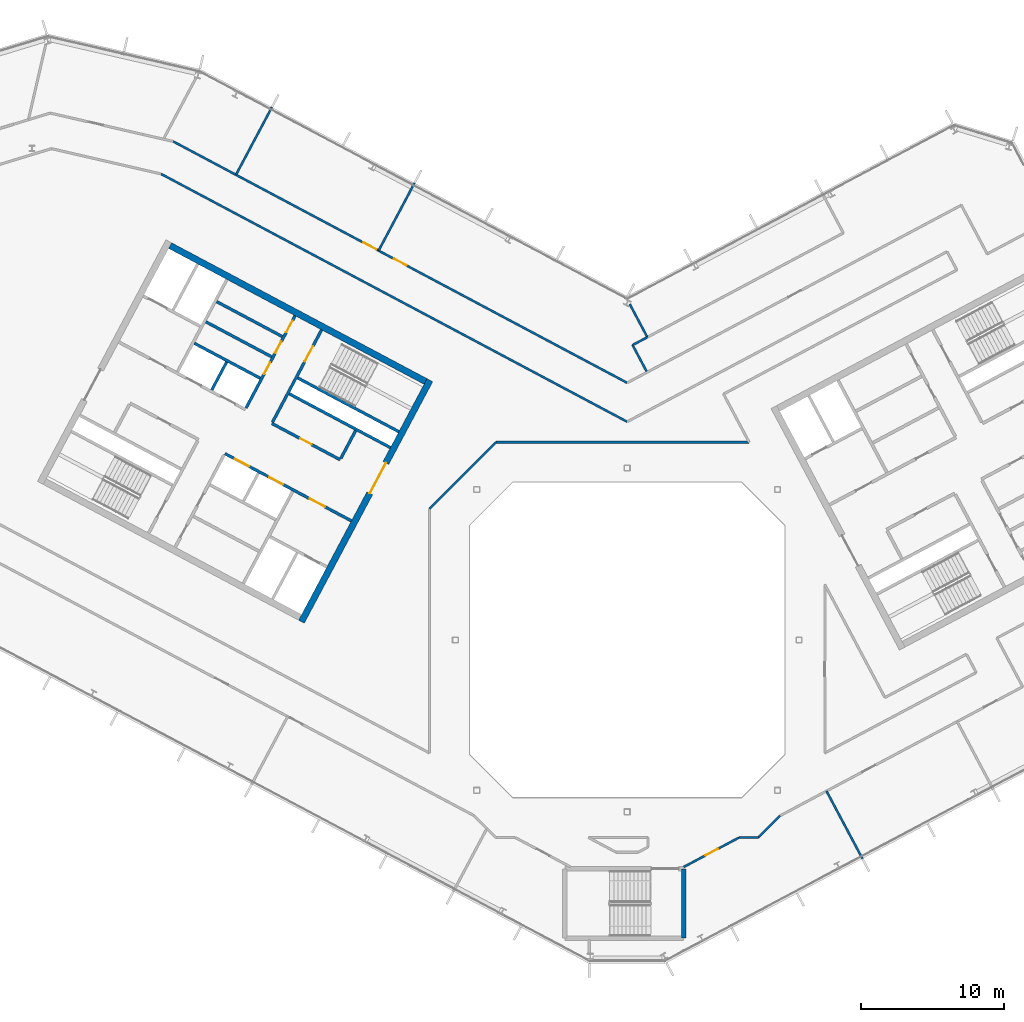
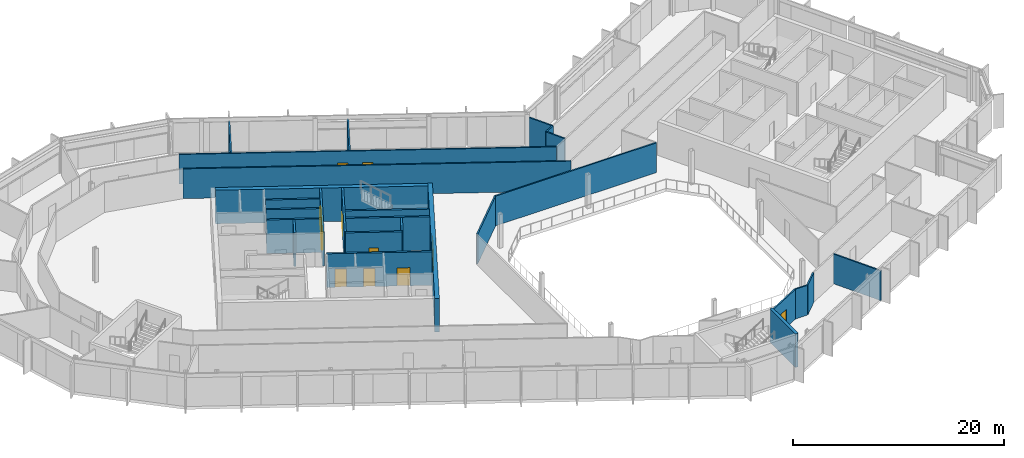
# One storey, part 15 of 26: 27 walls, 12 doors, 12 openings.
"""IFC4 building model written with IfcOpenShell, lengths in metres."""

from ifc_helpers import new_model, si_unit, direction, frame, frame_2d, origin, place, context, subcontext, project, spatial, rectangle, extrude, material, layer, layer_set, type_object, element, fill, save


model = new_model("IFC4")

# Units and contexts
model_context = context("Model", 3, precision=1e-05, world=origin(), true_north=direction((0.0, 1.0)))
body_context = subcontext(model_context, "Body", "Model", "MODEL_VIEW")
ifc_project = project(units=[si_unit("LENGTHUNIT", "METRE"), si_unit("AREAUNIT", "SQUARE_METRE"), si_unit("VOLUMEUNIT", "CUBIC_METRE"), si_unit("PLANEANGLEUNIT", "RADIAN"), si_unit("MASSUNIT", "GRAM", prefix="KILO")], contexts=[model_context])

# Site, building, storey
site_placement = place(None, origin())
site = spatial("IfcSite", under=ifc_project, at=site_placement, CompositionType="ELEMENT")
building_placement = place(site_placement, origin())
building = spatial("IfcBuilding", under=site, at=building_placement, Name="Cormorant Relay Tower", CompositionType="ELEMENT")
storey_placement = place(building_placement, frame((0.0, 0.0, 316.5)))
storey = spatial("IfcBuildingStorey", under=building, at=storey_placement, Name="L72", CompositionType="ELEMENT", Elevation=316.5)

# Walls
ifc_material_1 = material(Name="Concrete 40 MPa", Category="concrete")
ifc_layer_1 = layer(ifc_material_1, 0.199951171875)
ifc_layer_set_1 = layer_set([ifc_layer_1], Name="Core internal wall 200")
wall_type_1 = type_object("IfcWallType", Name="Core internal wall 200", PredefinedType="SOLIDWALL", material=ifc_layer_set_1)
wall_1_placement = place(storey_placement, frame((-27.9658203125, 19.39990234375, 0.0), z_axis=(0.0, 0.0, 1.0), x_axis=(-0.4694473164, -0.882960484464, 0.0)))
element("IfcWall", 1, at=wall_1_placement, inside=storey, type_object=wall_type_1, Name="L72 core A shaft and room wall", PredefinedType="SOLIDWALL", context=body_context, shape_type="SweptSolid", body=[
    extrude(rectangle(XDim=2.199951171875, YDim=0.199951171875, at=frame_2d((1.10009765625, 0.0))), origin(), (0.0, 0.0, 1.0), 3.89990234375),
])
for number, where, z_axis, x_axis, name in (
    (2, (-24.073974609375, 21.181396484375, 0.0), (0.0, 0.0, 1.0), (-0.882953967957, 0.469459572775, 0.0), "L72 core A shaft and room wall"),
    (3, (-24.824951171875, 19.7685546875, 0.0), (0.0, 0.0, 1.0), (-0.882934506056, 0.469496174655, 0.0), "L72 core A shaft and room wall"),
):
    element("IfcWall", number, at=place(storey_placement, frame(where, z_axis=z_axis, x_axis=x_axis)), inside=storey, type_object=wall_type_1, Name=name, PredefinedType="SOLIDWALL", context=body_context, shape_type="SweptSolid", body=[
        extrude(rectangle(XDim=5.199951171875, YDim=0.199951171875, at=frame_2d((2.60009765625, 0.0))), origin(), (0.0, 0.0, 1.0), 3.89990234375),
    ])
ifc_material_2 = material(Name="Concrete 50 MPa", Category="concrete")
ifc_layer_2 = layer(ifc_material_2, 0.199951171875)
ifc_layer_set_2 = layer_set([ifc_layer_2], Name="Core shaft wall 200")
wall_type_2 = type_object("IfcWallType", Name="Core shaft wall 200", PredefinedType="SHEAR", material=ifc_layer_set_2)
wall_2_placement = place(storey_placement, frame((-18.959716796875, 14.611328125, 0.0), z_axis=(0.0, 0.0, 1.0), x_axis=(-0.4694473164, -0.882960484464, 0.0)))
element("IfcWall", 4, at=wall_2_placement, inside=storey, type_object=wall_type_2, Name="L72 core A shaft wall", PredefinedType="SHEAR", context=body_context, shape_type="SweptSolid", body=[
    extrude(rectangle(XDim=2.199951171875, YDim=0.199951171875, at=frame_2d((1.10009765625, 0.0))), origin(), (0.0, 0.0, 1.0), 3.89990234375),
])

# Wall, opening, door
wall_3_placement = place(storey_placement, frame((-21.333251953125, 21.6494140625, 0.0), z_axis=(0.0, 0.0, 1.0), x_axis=(-0.469494272526, -0.882935517501, 0.0)))
wall_3 = element("IfcWall", 5, at=wall_3_placement, inside=storey, type_object=wall_type_2, Name="L72 core A shaft wall", PredefinedType="SHEAR", context=body_context, shape_type="SweptSolid", body=[
    extrude(rectangle(XDim=7.2998046875, YDim=0.199951171875, at=frame_2d((3.64990234375, 0.0))), origin(), (0.0, 0.0, 1.0), 3.89990234375),
])
opening_1_placement = place(wall_3_placement, frame((1.300048828125, 0.0, 0.0)))
opening_1 = element("IfcOpeningElement", 6, at=opening_1_placement, cuts=wall_3, Name="Opening CDB-038", PredefinedType="OPENING", context=body_context, shape_type="SweptSolid", body=[
    extrude(rectangle(XDim=1.199951171875, YDim=2.10009765625, at=frame_2d((0.60009765625, 1.050048828125))), frame((0.0, 0.10986328125, 0.0), z_axis=(0.0, -1.0, 0.0), x_axis=(1.0, 0.0, 0.0)), (0.0, 0.0, 1.0), 0.219970703125),
])
ifc_material_3 = material(Name="Steel fire door", Category="steel")
door_type_1 = type_object("IfcDoorType", Name="Core stair door 1200x2100", OperationType="SINGLE_SWING_LEFT", PredefinedType="DOOR", material=ifc_material_3)
door_1_placement = place(opening_1_placement, origin())
door_1 = element("IfcDoor", 7, at=door_1_placement, inside=storey, type_object=door_type_1, Name="Core stair door 1200x2100", OperationType="SINGLE_SWING_RIGHT", OverallHeight=2.10009765625, OverallWidth=1.199951171875, PredefinedType="DOOR", context=body_context, shape_type="SweptSolid", body=[
    extrude(rectangle(XDim=1.199951171875, YDim=2.10009765625, at=frame_2d((0.60009765625, 1.050048828125))), frame((0.0, 0.02490234375, 0.0), z_axis=(0.0, -1.0, 0.0), x_axis=(1.0, 0.0, 0.0)), (0.0, 0.0, 1.0), 0.050048828125),
])
fill(opening_1, door_1)

# Wall, openings, doors
wall_4_placement = place(storey_placement, frame((-23.1875, 22.635498046875, 0.0), z_axis=(0.0, 0.0, 1.0), x_axis=(-0.469454336211, -0.882956752176, 0.0)))
wall_4 = element("IfcWall", 8, at=wall_4_placement, inside=storey, type_object=wall_type_2, Name="L72 core A shaft wall", PredefinedType="SHEAR", context=body_context, shape_type="SweptSolid", body=[
    extrude(rectangle(XDim=7.300048828125, YDim=0.199951171875, at=frame_2d((3.64990234375, 0.0))), origin(), (0.0, 0.0, 1.0), 3.89990234375),
])
opening_2_placement = place(wall_4_placement, frame((0.39990234375, 0.0, 0.0)))
opening_2 = element("IfcOpeningElement", 9, at=opening_2_placement, cuts=wall_4, Name="Opening CDD-347", PredefinedType="OPENING", context=body_context, shape_type="SweptSolid", body=[
    extrude(rectangle(XDim=0.89990234375, YDim=2.10009765625, at=frame_2d((0.449951171875, 1.050048828125))), frame((0.0, 0.10986328125, 0.0), z_axis=(0.0, -1.0, 0.0), x_axis=(1.0, 0.0, 0.0)), (0.0, 0.0, 1.0), 0.219970703125),
])
opening_3_placement = place(wall_4_placement, frame((2.050048828125, 0.0, 0.0)))
opening_3 = element("IfcOpeningElement", 10, at=opening_3_placement, cuts=wall_4, Name="Opening CDD-292", PredefinedType="OPENING", context=body_context, shape_type="SweptSolid", body=[
    extrude(rectangle(XDim=0.89990234375, YDim=2.10009765625, at=frame_2d((0.449951171875, 1.050048828125))), frame((0.0, 0.10986328125, 0.0), z_axis=(0.0, -1.0, 0.0), x_axis=(1.0, 0.0, 0.0)), (0.0, 0.0, 1.0), 0.219970703125),
])
opening_4_placement = place(wall_4_placement, frame((3.699951171875, 0.0, 0.0)))
opening_4 = element("IfcOpeningElement", 11, at=opening_4_placement, cuts=wall_4, Name="Opening CDD-331", PredefinedType="OPENING", context=body_context, shape_type="SweptSolid", body=[
    extrude(rectangle(XDim=0.89990234375, YDim=2.10009765625, at=frame_2d((0.449951171875, 1.050048828125))), frame((0.0, 0.10986328125, 0.0), z_axis=(0.0, -1.0, 0.0), x_axis=(1.0, 0.0, 0.0)), (0.0, 0.0, 1.0), 0.219970703125),
])
ifc_material_4 = material(Name="Steel fire door", Category="steel")
door_type_2 = type_object("IfcDoorType", Name="Core room door 900x2100", OperationType="SINGLE_SWING_LEFT", PredefinedType="DOOR", material=ifc_material_4)
door_2_placement = place(opening_2_placement, origin())
door_2 = element("IfcDoor", 12, at=door_2_placement, inside=storey, type_object=door_type_2, Name="Core room door 900x2100", OperationType="SINGLE_SWING_LEFT", OverallHeight=2.10009765625, OverallWidth=0.89990234375, PredefinedType="DOOR", context=body_context, shape_type="SweptSolid", body=[
    extrude(rectangle(XDim=0.89990234375, YDim=2.10009765625, at=frame_2d((0.449951171875, 1.050048828125))), frame((0.0, 0.02490234375, 0.0), z_axis=(0.0, -1.0, 0.0), x_axis=(1.0, 0.0, 0.0)), (0.0, 0.0, 1.0), 0.050048828125),
])
fill(opening_2, door_2)
door_3_placement = place(opening_3_placement, origin())
door_3 = element("IfcDoor", 13, at=door_3_placement, inside=storey, type_object=door_type_2, Name="Core room door 900x2100", OperationType="SINGLE_SWING_LEFT", OverallHeight=2.10009765625, OverallWidth=0.89990234375, PredefinedType="DOOR", context=body_context, shape_type="SweptSolid", body=[
    extrude(rectangle(XDim=0.89990234375, YDim=2.10009765625, at=frame_2d((0.449951171875, 1.050048828125))), frame((0.0, 0.02490234375, 0.0), z_axis=(0.0, -1.0, 0.0), x_axis=(1.0, 0.0, 0.0)), (0.0, 0.0, 1.0), 0.050048828125),
])
fill(opening_3, door_3)
door_4_placement = place(opening_4_placement, origin())
door_4 = element("IfcDoor", 14, at=door_4_placement, inside=storey, type_object=door_type_2, Name="Core room door 900x2100", OperationType="SINGLE_SWING_LEFT", OverallHeight=2.10009765625, OverallWidth=0.89990234375, PredefinedType="DOOR", context=body_context, shape_type="SweptSolid", body=[
    extrude(rectangle(XDim=0.89990234375, YDim=2.10009765625, at=frame_2d((0.449951171875, 1.050048828125))), frame((0.0, 0.02490234375, 0.0), z_axis=(0.0, -1.0, 0.0), x_axis=(1.0, 0.0, 0.0)), (0.0, 0.0, 1.0), 0.050048828125),
])
fill(opening_4, door_4)

# Walls
wall_5_placement = place(storey_placement, frame((-15.94189453125, 14.53564453125, 0.0), z_axis=(0.0, 0.0, 1.0), x_axis=(-0.882946947542, 0.469472776449, 0.0)))
element("IfcWall", 15, at=wall_5_placement, inside=storey, type_object=wall_type_2, Name="L72 core A shaft wall", PredefinedType="SHEAR", context=body_context, shape_type="SweptSolid", body=[
    extrude(rectangle(XDim=8.000244140625, YDim=0.199951171875, at=frame_2d((4.0, 0.0))), origin(), (0.0, 0.0, 1.0), 3.89990234375),
])
wall_6_placement = place(storey_placement, frame((-16.52880859375, 13.43212890625, 0.0), z_axis=(0.0, 0.0, 1.0), x_axis=(-0.88295287151, 0.469461634952, 0.0)))
element("IfcWall", 16, at=wall_6_placement, inside=storey, type_object=wall_type_2, Name="L72 core A shaft wall", PredefinedType="SHEAR", context=body_context, shape_type="SweptSolid", body=[
    extrude(rectangle(XDim=7.999755859375, YDim=0.199951171875, at=frame_2d((4.0, 0.0))), origin(), (0.0, 0.0, 1.0), 3.89990234375),
])
wall_7_placement = place(storey_placement, frame((-25.623046875, 18.267578125, 0.0), z_axis=(0.0, 0.0, 1.0), x_axis=(-0.882953967957, 0.469459572775, 0.0)))
element("IfcWall", 17, at=wall_7_placement, inside=storey, type_object=wall_type_2, Name="L72 core A shaft wall", PredefinedType="SHEAR", context=body_context, shape_type="SweptSolid", body=[
    extrude(rectangle(XDim=5.199951171875, YDim=0.199951171875, at=frame_2d((2.60009765625, 0.0))), origin(), (0.0, 0.0, 1.0), 3.89990234375),
])

# Wall, opening, door
wall_8_placement = place(storey_placement, frame((-20.03955078125, 12.58056640625, 0.0), z_axis=(0.0, 0.0, 1.0), x_axis=(-0.882942972946, 0.469480251476, 0.0)))
wall_8 = element("IfcWall", 18, at=wall_8_placement, inside=storey, type_object=wall_type_2, Name="L72 core A shaft wall", PredefinedType="SHEAR", context=body_context, shape_type="SweptSolid", body=[
    extrude(rectangle(XDim=5.39990234375, YDim=0.199951171875, at=frame_2d((2.699951171875, 0.0))), origin(), (0.0, 0.0, 1.0), 3.89990234375),
])
opening_5_placement = place(wall_8_placement, frame((2.25, 0.0, 0.0)))
opening_5 = element("IfcOpeningElement", 19, at=opening_5_placement, cuts=wall_8, Name="Opening CDD-319", PredefinedType="OPENING", context=body_context, shape_type="SweptSolid", body=[
    extrude(rectangle(XDim=0.89990234375, YDim=2.10009765625, at=frame_2d((0.449951171875, 1.050048828125))), frame((0.0, 0.10986328125, 0.0), z_axis=(0.0, -1.0, 0.0), x_axis=(1.0, 0.0, 0.0)), (0.0, 0.0, 1.0), 0.219970703125),
])
door_5_placement = place(opening_5_placement, origin())
door_5 = element("IfcDoor", 20, at=door_5_placement, inside=storey, type_object=door_type_2, Name="Core room door 900x2100", OperationType="SINGLE_SWING_LEFT", OverallHeight=2.10009765625, OverallWidth=0.89990234375, PredefinedType="DOOR", context=body_context, shape_type="SweptSolid", body=[
    extrude(rectangle(XDim=0.89990234375, YDim=2.10009765625, at=frame_2d((0.449951171875, 1.050048828125))), frame((0.0, 0.02490234375, 0.0), z_axis=(0.0, -1.0, 0.0), x_axis=(1.0, 0.0, 0.0)), (0.0, 0.0, 1.0), 0.050048828125),
])
fill(opening_5, door_5)

# Wall, openings, doors
wall_9_placement = place(storey_placement, frame((-19.251708984375, 8.31103515625, 0.0), z_axis=(0.0, 0.0, 1.0), x_axis=(-0.882955722218, 0.469456273365, 0.0)))
wall_9 = element("IfcWall", 21, at=wall_9_placement, inside=storey, type_object=wall_type_2, Name="L72 core A shaft wall", PredefinedType="SHEAR", context=body_context, shape_type="SweptSolid", body=[
    extrude(rectangle(XDim=10.0, YDim=0.199951171875, at=frame_2d((5.0, 0.0))), origin(), (0.0, 0.0, 1.0), 3.89990234375),
])
opening_6_placement = place(wall_9_placement, frame((2.10009765625, 0.0, 0.0)))
opening_6 = element("IfcOpeningElement", 22, at=opening_6_placement, cuts=wall_9, Name="Opening CDC-033", PredefinedType="OPENING", context=body_context, shape_type="SweptSolid", body=[
    extrude(rectangle(XDim=1.199951171875, YDim=2.10009765625, at=frame_2d((0.60009765625, 1.050048828125))), frame((0.0, 0.10986328125, 0.0), z_axis=(0.0, -1.0, 0.0), x_axis=(1.0, 0.0, 0.0)), (0.0, 0.0, 1.0), 0.219970703125),
])
opening_7_placement = place(wall_9_placement, frame((5.39990234375, 0.0, 0.0)))
opening_7 = element("IfcOpeningElement", 23, at=opening_7_placement, cuts=wall_9, Name="Opening LD1-065", PredefinedType="OPENING", context=body_context, shape_type="SweptSolid", body=[
    extrude(rectangle(XDim=1.10009765625, YDim=2.10009765625, at=frame_2d((0.550048828125, 1.050048828125))), frame((0.0, 0.10986328125, 0.0), z_axis=(0.0, -1.0, 0.0), x_axis=(1.0, 0.0, 0.0)), (0.0, 0.0, 1.0), 0.219970703125),
])
opening_8_placement = place(wall_9_placement, frame((8.10009765625, 0.0, 0.0)))
opening_8 = element("IfcOpeningElement", 24, at=opening_8_placement, cuts=wall_9, Name="Opening LD1-066", PredefinedType="OPENING", context=body_context, shape_type="SweptSolid", body=[
    extrude(rectangle(XDim=1.10009765625, YDim=2.10009765625, at=frame_2d((0.550048828125, 1.050048828125))), frame((0.0, 0.10986328125, 0.0), z_axis=(0.0, -1.0, 0.0), x_axis=(1.0, 0.0, 0.0)), (0.0, 0.0, 1.0), 0.219970703125),
])
ifc_material_5 = material(Name="Steel fire door", Category="steel")
door_type_3 = type_object("IfcDoorType", Name="Core lobby door 1200x2100", OperationType="SINGLE_SWING_LEFT", PredefinedType="DOOR", material=ifc_material_5)
door_6_placement = place(opening_6_placement, origin())
door_6 = element("IfcDoor", 25, at=door_6_placement, inside=storey, type_object=door_type_3, Name="Core lobby door 1200x2100", OperationType="SINGLE_SWING_RIGHT", OverallHeight=2.10009765625, OverallWidth=1.199951171875, PredefinedType="DOOR", context=body_context, shape_type="SweptSolid", body=[
    extrude(rectangle(XDim=1.199951171875, YDim=2.10009765625, at=frame_2d((0.60009765625, 1.050048828125))), frame((0.0, 0.02490234375, 0.0), z_axis=(0.0, -1.0, 0.0), x_axis=(1.0, 0.0, 0.0)), (0.0, 0.0, 1.0), 0.050048828125),
])
fill(opening_6, door_6)
ifc_material_6 = material(Name="Stainless steel 316", Category="steel")
door_type_4 = type_object("IfcDoorType", Name="Lift landing door 1100x2100", OperationType="DOUBLE_DOOR_SLIDING", PredefinedType="DOOR", material=ifc_material_6)
door_7_placement = place(opening_7_placement, origin())
door_7 = element("IfcDoor", 26, at=door_7_placement, inside=storey, type_object=door_type_4, Name="HR1 landing door", OperationType="DOUBLE_DOOR_SLIDING", OverallHeight=2.10009765625, OverallWidth=1.10009765625, PredefinedType="DOOR", context=body_context, shape_type="SweptSolid", body=[
    extrude(rectangle(XDim=1.10009765625, YDim=2.10009765625, at=frame_2d((0.550048828125, 1.050048828125))), frame((0.0, 0.02490234375, 0.0), z_axis=(0.0, -1.0, 0.0), x_axis=(1.0, 0.0, 0.0)), (0.0, 0.0, 1.0), 0.050048828125),
])
fill(opening_7, door_7)
door_8_placement = place(opening_8_placement, origin())
door_8 = element("IfcDoor", 27, at=door_8_placement, inside=storey, type_object=door_type_4, Name="HR2 landing door", OperationType="DOUBLE_DOOR_SLIDING", OverallHeight=2.10009765625, OverallWidth=1.10009765625, PredefinedType="DOOR", context=body_context, shape_type="SweptSolid", body=[
    extrude(rectangle(XDim=1.10009765625, YDim=2.10009765625, at=frame_2d((0.550048828125, 1.050048828125))), frame((0.0, 0.02490234375, 0.0), z_axis=(0.0, -1.0, 0.0), x_axis=(1.0, 0.0, 0.0)), (0.0, 0.0, 1.0), 0.050048828125),
])
fill(opening_8, door_8)

# Wall, opening, door
ifc_material_7 = material(Name="Concrete 50 MPa", Category="concrete")
ifc_layer_3 = layer(ifc_material_7, 0.449951171875)
ifc_layer_set_3 = layer_set([ifc_layer_3], Name="Core wall 450")
wall_type_3 = type_object("IfcWallType", Name="Core wall 450", PredefinedType="SHEAR", material=ifc_layer_set_3)
wall_10_placement = place(storey_placement, frame((-13.771484375, 18.138427734375, 0.0), z_axis=(0.0, 0.0, 1.0), x_axis=(-0.469467968382, -0.882949504028, 0.0)))
wall_10 = element("IfcWall", 28, at=wall_10_placement, inside=storey, type_object=wall_type_3, Name="L72 core A wall", PredefinedType="SHEAR", context=body_context, shape_type="SweptSolid", body=[
    extrude(rectangle(XDim=19.099853515625, YDim=0.449951171875, at=frame_2d((9.5498046875, 0.0))), origin(), (0.0, 0.0, 1.0), 3.89990234375),
])
opening_9_placement = place(wall_10_placement, frame((6.550048828125, 0.0, 0.0)))
opening_9 = element("IfcOpeningElement", 29, at=opening_9_placement, cuts=wall_10, Name="Opening CDA-050", PredefinedType="OPENING", context=body_context, shape_type="SweptSolid", body=[
    extrude(rectangle(XDim=2.39990234375, YDim=2.39990234375, at=frame_2d((1.199951171875, 1.199951171875))), frame((0.0, 0.23486328125, 0.0), z_axis=(0.0, -1.0, 0.0), x_axis=(1.0, 0.0, 0.0)), (0.0, 0.0, 1.0), 0.469970703125),
])
ifc_material_8 = material(Name="Steel fire door", Category="steel")
door_type_5 = type_object("IfcDoorType", Name="Core lobby door 2400x2400", OperationType="DOUBLE_DOOR_SINGLE_SWING", PredefinedType="DOOR", material=ifc_material_8)
door_9_placement = place(opening_9_placement, origin())
door_9 = element("IfcDoor", 30, at=door_9_placement, inside=storey, type_object=door_type_5, Name="Core lobby door 2400x2400", OperationType="DOUBLE_DOOR_SINGLE_SWING", OverallHeight=2.39990234375, OverallWidth=2.39990234375, PredefinedType="DOOR", context=body_context, shape_type="SweptSolid", body=[
    extrude(rectangle(XDim=2.39990234375, YDim=2.39990234375, at=frame_2d((1.199951171875, 1.199951171875))), frame((0.0, 0.02490234375, 0.0), z_axis=(0.0, -1.0, 0.0), x_axis=(1.0, 0.0, 0.0)), (0.0, 0.0, 1.0), 0.050048828125),
])
fill(opening_9, door_9)

# Walls
wall_11_placement = place(storey_placement, frame((-14.07568359375, 18.04541015625, 0.0), z_axis=(0.0, 0.0, 1.0), x_axis=(-0.882947755831, 0.46947125628, 0.0)))
element("IfcWall", 31, at=wall_11_placement, inside=storey, type_object=wall_type_3, Name="L72 core A wall", PredefinedType="SHEAR", context=body_context, shape_type="SweptSolid", body=[
    extrude(rectangle(XDim=20.2001953125, YDim=0.449951171875, at=frame_2d((10.10009765625, 0.0))), origin(), (0.0, 0.0, 1.0), 3.89990234375),
])
ifc_material_9 = material(Name="Gypsum board fire partition")
ifc_layer_4 = layer(ifc_material_9, 0.14990234375)
ifc_layer_set_4 = layer_set([ifc_layer_4], Name="Corridor partition 150 EI 60")
wall_type_4 = type_object("IfcWallType", Name="Corridor partition 150 EI 60", PredefinedType="PARTITIONING", material=ifc_layer_set_4)
wall_12_placement = place(storey_placement, frame((-32.541015625, 32.534912109375, 0.0), z_axis=(0.0, 0.0, 1.0), x_axis=(0.882951675281, -0.469463884787, 0.0)))
element("IfcWall", 32, at=wall_12_placement, inside=storey, type_object=wall_type_4, Name="wall/L72/part/016", PredefinedType="PARTITIONING", context=body_context, shape_type="SweptSolid", body=[
    extrude(rectangle(XDim=36.854736328125, YDim=0.14990234375, at=frame_2d((18.42724609375, 0.0))), origin(), (0.0, 0.0, 1.0), 3.449951171875),
])
wall_13_placement = place(storey_placement, frame((8.51806640625, 13.800048828125, 0.0), z_axis=(0.0, 0.0, 1.0), x_axis=(-1.0, 0.0, 0.0)))
element("IfcWall", 33, at=wall_13_placement, inside=storey, type_object=wall_type_4, Name="wall/L72/part/021", PredefinedType="PARTITIONING", context=body_context, shape_type="SweptSolid", body=[
    extrude(rectangle(XDim=17.677978515625, YDim=0.14990234375, at=frame_2d((8.8388671875, 0.0))), origin(), (0.0, 0.0, 1.0), 3.449951171875),
])
wall_14_placement = place(storey_placement, frame((-9.159912109375, 13.800048828125, 0.0), z_axis=(0.0, 0.0, 1.0), x_axis=(-0.707106781187, -0.707106781187, 0.0)))
element("IfcWall", 34, at=wall_14_placement, inside=storey, type_object=wall_type_4, Name="wall/L72/part/022", PredefinedType="PARTITIONING", context=body_context, shape_type="SweptSolid", body=[
    extrude(rectangle(XDim=6.562255859375, YDim=0.14990234375, at=frame_2d((3.28125, 0.0))), origin(), (0.0, 0.0, 1.0), 3.449951171875),
])

# Wall, openings, doors
wall_15_placement = place(storey_placement, frame((-31.693115234375, 34.802978515625, 0.0), z_axis=(0.0, 0.0, 1.0), x_axis=(0.882941558982, -0.469482910683, 0.0)))
wall_15 = element("IfcWall", 35, at=wall_15_placement, inside=storey, type_object=wall_type_4, Name="wall/L72/part/039", PredefinedType="PARTITIONING", context=body_context, shape_type="SweptSolid", body=[
    extrude(rectangle(XDim=35.89501953125, YDim=0.14990234375, at=frame_2d((17.947509765625, 0.0))), origin(), (0.0, 0.0, 1.0), 3.449951171875),
])
opening_10_placement = place(wall_15_placement, frame((17.449951171875, 0.0, 0.0)))
opening_10 = element("IfcOpeningElement", 36, at=opening_10_placement, cuts=wall_15, Name="Opening DS-263", PredefinedType="OPENING", context=body_context, shape_type="SweptSolid", body=[
    extrude(rectangle(XDim=1.0, YDim=2.10009765625, at=frame_2d((0.5, 1.050048828125))), frame((0.0, 0.0849609375, 0.0), z_axis=(0.0, -1.0, 0.0), x_axis=(1.0, 0.0, 0.0)), (0.0, 0.0, 1.0), 0.169921875),
])
opening_11_placement = place(wall_15_placement, frame((15.050048828125, 0.0, 0.0)))
opening_11 = element("IfcOpeningElement", 37, at=opening_11_placement, cuts=wall_15, Name="Opening DS-264", PredefinedType="OPENING", context=body_context, shape_type="SweptSolid", body=[
    extrude(rectangle(XDim=1.0, YDim=2.10009765625, at=frame_2d((0.5, 1.050048828125))), frame((0.0, 0.0849609375, 0.0), z_axis=(0.0, -1.0, 0.0), x_axis=(1.0, 0.0, 0.0)), (0.0, 0.0, 1.0), 0.169921875),
])
ifc_material_10 = material(Name="Timber door leaf", Category="wood")
door_type_6 = type_object("IfcDoorType", Name="Suite door 1000x2100", OperationType="SINGLE_SWING_LEFT", PredefinedType="DOOR", material=ifc_material_10)
door_10_placement = place(opening_10_placement, origin())
door_10 = element("IfcDoor", 38, at=door_10_placement, inside=storey, type_object=door_type_6, Name="door/L72/006", OperationType="SINGLE_SWING_LEFT", OverallHeight=2.10009765625, OverallWidth=1.0, PredefinedType="DOOR", context=body_context, shape_type="SweptSolid", body=[
    extrude(rectangle(XDim=1.0, YDim=2.10009765625, at=frame_2d((0.5, 1.050048828125))), frame((0.0, 0.02490234375, 0.0), z_axis=(0.0, -1.0, 0.0), x_axis=(1.0, 0.0, 0.0)), (0.0, 0.0, 1.0), 0.050048828125),
])
fill(opening_10, door_10)
door_11_placement = place(opening_11_placement, origin())
door_11 = element("IfcDoor", 39, at=door_11_placement, inside=storey, type_object=door_type_6, Name="door/L72/007", OperationType="SINGLE_SWING_RIGHT", OverallHeight=2.10009765625, OverallWidth=1.0, PredefinedType="DOOR", context=body_context, shape_type="SweptSolid", body=[
    extrude(rectangle(XDim=1.0, YDim=2.10009765625, at=frame_2d((0.5, 1.050048828125))), frame((0.0, 0.02490234375, 0.0), z_axis=(0.0, -1.0, 0.0), x_axis=(1.0, 0.0, 0.0)), (0.0, 0.0, 1.0), 0.050048828125),
])
fill(opening_11, door_11)

# Wall, opening, door
wall_16_placement = place(storey_placement, frame((7.806884765625, -13.800048828125, 0.0), z_axis=(0.0, 0.0, 1.0), x_axis=(-0.883014998399, -0.469344769442, 0.0)))
wall_16 = element("IfcWall", 40, at=wall_16_placement, inside=storey, type_object=wall_type_4, Name="wall/L72/part/055", PredefinedType="PARTITIONING", context=body_context, shape_type="SweptSolid", body=[
    extrude(rectangle(XDim=4.36328125, YDim=0.14990234375, at=frame_2d((2.181640625, 0.0))), origin(), (0.0, 0.0, 1.0), 3.449951171875),
])
opening_12_placement = place(wall_16_placement, frame((1.64990234375, 0.0, 0.0)))
opening_12 = element("IfcOpeningElement", 41, at=opening_12_placement, cuts=wall_16, Name="Opening DS-259", PredefinedType="OPENING", context=body_context, shape_type="SweptSolid", body=[
    extrude(rectangle(XDim=1.0, YDim=2.10009765625, at=frame_2d((0.5, 1.050048828125))), frame((0.0, 0.0849609375, 0.0), z_axis=(0.0, -1.0, 0.0), x_axis=(1.0, 0.0, 0.0)), (0.0, 0.0, 1.0), 0.169921875),
])
door_12_placement = place(opening_12_placement, origin())
door_12 = element("IfcDoor", 42, at=door_12_placement, inside=storey, type_object=door_type_6, Name="door/L72/002", OperationType="SINGLE_SWING_LEFT", OverallHeight=2.10009765625, OverallWidth=1.0, PredefinedType="DOOR", context=body_context, shape_type="SweptSolid", body=[
    extrude(rectangle(XDim=1.0, YDim=2.10009765625, at=frame_2d((0.5, 1.050048828125))), frame((0.0, 0.02490234375, 0.0), z_axis=(0.0, -1.0, 0.0), x_axis=(1.0, 0.0, 0.0)), (0.0, 0.0, 1.0), 0.050048828125),
])
fill(opening_12, door_12)

# Walls
wall_17_placement = place(storey_placement, frame((10.679931640625, -12.280029296875, 0.0), z_axis=(0.0, 0.0, 1.0), x_axis=(-0.707106781187, -0.707106781187, 0.0)))
element("IfcWall", 43, at=wall_17_placement, inside=storey, type_object=wall_type_4, Name="wall/L72/part/056", PredefinedType="PARTITIONING", context=body_context, shape_type="SweptSolid", body=[
    extrude(rectangle(XDim=2.149658203125, YDim=0.14990234375, at=frame_2d((1.07470703125, 0.0))), origin(), (0.0, 0.0, 1.0), 3.449951171875),
])
wall_18_placement = place(storey_placement, frame((9.159912109375, -13.800048828125, 0.0), z_axis=(0.0, 0.0, 1.0), x_axis=(-1.0, 0.0, 0.0)))
element("IfcWall", 44, at=wall_18_placement, inside=storey, type_object=wall_type_4, Name="wall/L72/part/057", PredefinedType="PARTITIONING", context=body_context, shape_type="SweptSolid", body=[
    extrude(rectangle(XDim=1.3388671875, YDim=0.14990234375, at=frame_2d((0.66943359375, 0.0))), origin(), (0.0, 0.0, 1.0), 3.449951171875),
])
ifc_material_11 = material(Name="Concrete 50 MPa", Category="concrete")
ifc_layer_5 = layer(ifc_material_11, 0.300048828125)
ifc_layer_set_5 = layer_set([ifc_layer_5], Name="Remote stair wall 300")
wall_type_5 = type_object("IfcWallType", Name="Remote stair wall 300", PredefinedType="SHEAR", material=ifc_layer_set_5)
wall_19_placement = place(storey_placement, frame((3.949951171875, -15.97509765625, 0.0), z_axis=(0.0, 0.0, 1.0), x_axis=(0.0, -1.0, 0.0)))
element("IfcWall", 45, at=wall_19_placement, inside=storey, type_object=wall_type_5, Name="L72 exit stair RK1 wall", PredefinedType="SHEAR", context=body_context, shape_type="SweptSolid", body=[
    extrude(rectangle(XDim=4.849853515625, YDim=0.300048828125, at=frame_2d((2.4248046875, 0.0))), origin(), (0.0, 0.0, 1.0), 3.89990234375),
])
ifc_material_12 = material(Name="Gypsum board partition")
ifc_layer_6 = layer(ifc_material_12, 0.14990234375)
ifc_layer_set_6 = layer_set([ifc_layer_6], Name="Tenant partition 150")
wall_type_6 = type_object("IfcWallType", Name="Tenant partition 150", PredefinedType="PARTITIONING", material=ifc_layer_set_6)
wall_20_placement = place(storey_placement, frame((-14.843994140625, 31.903076171875, 0.0), z_axis=(0.0, 0.0, 1.0), x_axis=(-0.469344284682, -0.883015256061, 0.0)))
element("IfcWall", 46, at=wall_20_placement, inside=storey, type_object=wall_type_6, Name="wall/L72/part/042", PredefinedType="PARTITIONING", context=body_context, shape_type="SweptSolid", body=[
    extrude(rectangle(XDim=5.35009765625, YDim=0.14990234375, at=frame_2d((2.675048828125, 0.0))), origin(), (0.0, 0.0, 1.0), 3.449951171875),
])
wall_21_placement = place(storey_placement, frame((-27.31201171875, 32.47412109375, 0.0), z_axis=(0.0, 0.0, 1.0), x_axis=(0.469581183092, 0.882889297979, 0.0)))
element("IfcWall", 47, at=wall_21_placement, inside=storey, type_object=wall_type_6, Name="wall/L72/part/043", PredefinedType="PARTITIONING", context=body_context, shape_type="SweptSolid", body=[
    extrude(rectangle(XDim=5.349365234375, YDim=0.14990234375, at=frame_2d((2.6748046875, 0.0))), origin(), (0.0, 0.0, 1.0), 3.449951171875),
])
wall_22_placement = place(storey_placement, frame((0.177978515625, 23.449951171875, 0.0), z_axis=(0.0, 0.0, 1.0), x_axis=(0.469495603372, -0.882934809833, 0.0)))
element("IfcWall", 48, at=wall_22_placement, inside=storey, type_object=wall_type_6, Name="wall/L72/part/050", PredefinedType="PARTITIONING", context=body_context, shape_type="SweptSolid", body=[
    extrude(rectangle(XDim=2.621826171875, YDim=0.14990234375, at=frame_2d((1.31103515625, 0.0))), origin(), (0.0, 0.0, 1.0), 3.449951171875),
])
wall_23_placement = place(storey_placement, frame((1.404052734375, 21.133056640625, 0.0), z_axis=(0.0, 0.0, 1.0), x_axis=(-0.882568125156, -0.47018454298, 0.0)))
element("IfcWall", 49, at=wall_23_placement, inside=storey, type_object=wall_type_6, Name="wall/L72/part/051", PredefinedType="PARTITIONING", context=body_context, shape_type="SweptSolid", body=[
    extrude(rectangle(XDim=1.16162109375, YDim=0.14990234375, at=frame_2d((0.580810546875, 0.0))), origin(), (0.0, 0.0, 1.0), 3.449951171875),
])
wall_24_placement = place(storey_placement, frame((1.360107421875, 18.741943359375, 0.0), z_axis=(0.0, 0.0, 1.0), x_axis=(-0.469357296394, 0.883008339894, 0.0)))
element("IfcWall", 50, at=wall_24_placement, inside=storey, type_object=wall_type_6, Name="wall/L72/part/052", PredefinedType="PARTITIONING", context=body_context, shape_type="SweptSolid", body=[
    extrude(rectangle(XDim=2.090576171875, YDim=0.14990234375, at=frame_2d((1.04541015625, 0.0))), origin(), (0.0, 0.0, 1.0), 3.449951171875),
])
wall_25_placement = place(storey_placement, frame((13.9169921875, -10.552001953125, 0.0), z_axis=(0.0, 0.0, 1.0), x_axis=(0.469581183092, -0.882889297979, 0.0)))
element("IfcWall", 51, at=wall_25_placement, inside=storey, type_object=wall_type_6, Name="wall/L72/part/058", PredefinedType="PARTITIONING", context=body_context, shape_type="SweptSolid", body=[
    extrude(rectangle(XDim=5.349365234375, YDim=0.14990234375, at=frame_2d((2.6748046875, 0.0))), origin(), (0.0, 0.0, 1.0), 3.449951171875),
])

save(model, "model.ifc")
